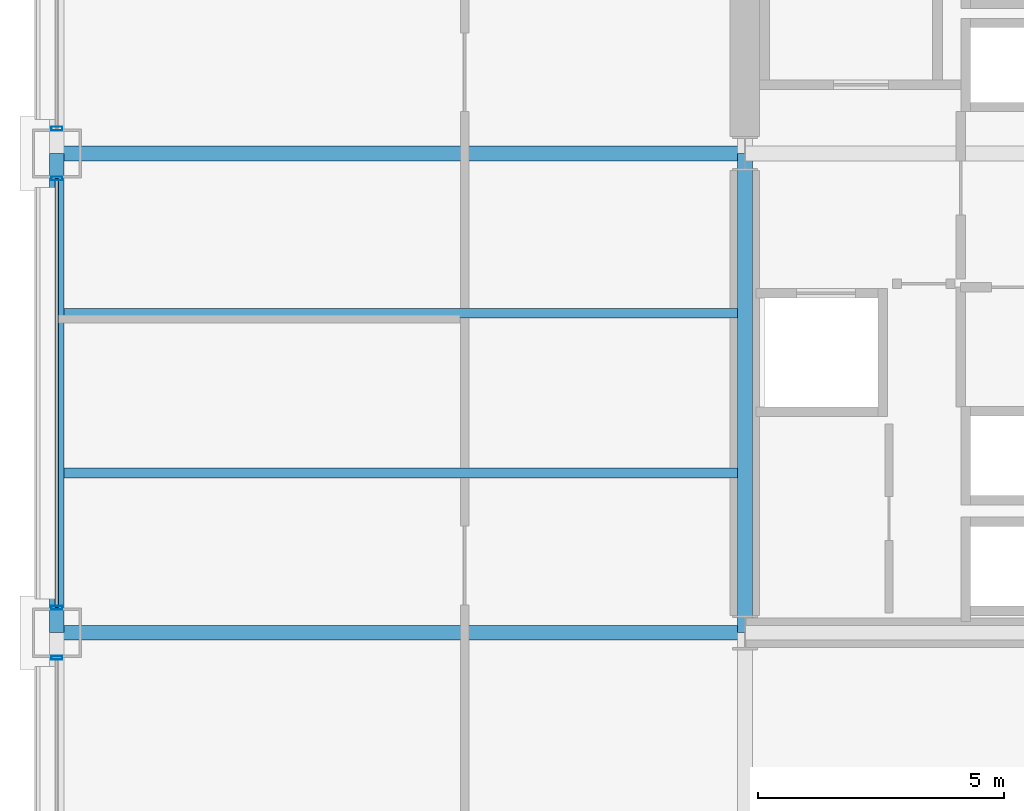
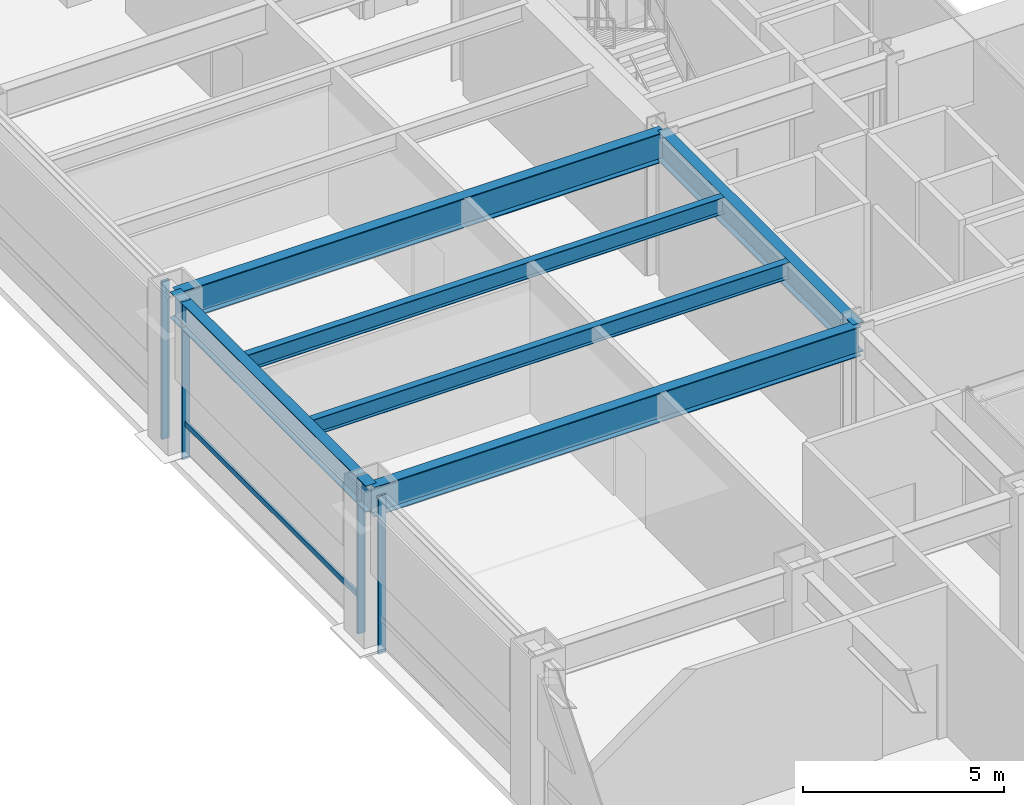
# One storey, part 6 of 42: 6 beams, 5 members, 3 elements without a shape of their own.
"""IFC4 building model written with IfcOpenShell, lengths in metres."""

from ifc_helpers import new_model, si_unit, direction, frame, origin, origin_2d, place, context, subcontext, project, spatial, hollow_rectangle, i_section, extrude, material, layer, layer_set, material_profile, profile_set, type_object, element, aggregate, save


model = new_model("IFC4")

# Units and contexts
model_context = context("Model", 3, precision=1e-05, world=origin(), true_north=direction((0.0, 1.0)))
body_context = subcontext(model_context, "Body", "Model", "MODEL_VIEW")
ifc_project = project(units=[si_unit("LENGTHUNIT", "METRE"), si_unit("AREAUNIT", "SQUARE_METRE"), si_unit("VOLUMEUNIT", "CUBIC_METRE"), si_unit("PLANEANGLEUNIT", "RADIAN"), si_unit("MASSUNIT", "GRAM", prefix="KILO")], contexts=[model_context])

# Site, building, storey
site_placement = place(None, origin())
site = spatial("IfcSite", under=ifc_project, at=site_placement, CompositionType="ELEMENT")
building_placement = place(site_placement, origin())
building = spatial("IfcBuilding", under=site, at=building_placement, Name="Brelmoor Portico Tower", CompositionType="ELEMENT")
storey_placement = place(building_placement, frame((0.0, 0.0, 9.60009765625)))
storey = spatial("IfcBuildingStorey", under=building, at=storey_placement, Name="L02", CompositionType="ELEMENT", Elevation=9.60009765625)

# Beams
ifc_material_1 = material(Name="Steel Q355B", Category="steel")
ifc_material_profile_1 = material_profile(ifc_material_1, i_section(OverallWidth=0.199951171875, OverallDepth=0.5, WebThickness=0.010009765625, FlangeThickness=0.01611328125, at=origin_2d()), Name="HN 500x200x10x16")
ifc_profile_set_1 = profile_set([ifc_material_profile_1], Name="Steel Q355B")
beam_type_1 = type_object("IfcBeamType", Name="BM-JS-500", PredefinedType="JOIST", material=ifc_profile_set_1)
for number, where, z_axis, x_axis, name in (
    (1, (-28.39990234375, -6.5, 4.329833984375), (1.0, 0.0, 0.0), (0.0, 1.0, 0.0), "L02 Secondary Wing Joist JS-W01"),
    (2, (-28.39990234375, -3.25, 4.329833984375), (1.0, 0.0, 0.0), (0.0, 1.0, 0.0), "L02 Secondary Wing Joist JS-W02"),
):
    element("IfcBeam", number, at=place(storey_placement, frame(where, z_axis=z_axis, x_axis=x_axis)), inside=storey, type_object=beam_type_1, Name=name, PredefinedType="JOIST", context=body_context, shape_type="SweptSolid", body=[
        extrude(i_section(OverallWidth=0.199951171875, OverallDepth=0.5, WebThickness=0.010009765625, FlangeThickness=0.01611328125, at=origin_2d()), origin(), (0.0, 0.0, 1.0), 13.699951171875),
    ])
ifc_material_profile_2 = material_profile(ifc_material_1, i_section(OverallWidth=0.300048828125, OverallDepth=0.89990234375, WebThickness=0.01611328125, FlangeThickness=0.028076171875, at=origin_2d()), Name="HN 900x300x16x28")
ifc_profile_set_2 = profile_set([ifc_material_profile_2], Name="Steel Q355B")
beam_type_2 = type_object("IfcBeamType", Name="BM-PG-900", PredefinedType="BEAM", material=ifc_profile_set_2)
beam_1_placement = place(storey_placement, frame((-14.550048828125, -9.75, 4.1298828125), z_axis=(0.0, 1.0, 0.0), x_axis=(-1.0, 0.0, 0.0)))
element("IfcBeam", 3, at=beam_1_placement, inside=storey, type_object=beam_type_2, Name="L02 Primary Floor Girder PG-06", PredefinedType="BEAM", context=body_context, shape_type="SweptSolid", body=[
    extrude(i_section(OverallWidth=0.300048828125, OverallDepth=0.89990234375, WebThickness=0.01611328125, FlangeThickness=0.028076171875, at=origin_2d()), origin(), (0.0, 0.0, 1.0), 9.75),
])
for number, where, z_axis, x_axis, name in (
    (4, (-28.550048828125, -9.75, 4.1298828125), (1.0, 0.0, 0.0), (0.0, 1.0, 0.0), "L02 Primary Floor Girder PG-25"),
    (5, (-28.550048828125, 0.0, 4.1298828125), (1.0, 0.0, 0.0), (0.0, 1.0, 0.0), "L02 Primary Floor Girder PG-30"),
):
    element("IfcBeam", number, at=place(storey_placement, frame(where, z_axis=z_axis, x_axis=x_axis)), inside=storey, type_object=beam_type_2, Name=name, PredefinedType="BEAM", context=body_context, shape_type="SweptSolid", body=[
        extrude(i_section(OverallWidth=0.300048828125, OverallDepth=0.89990234375, WebThickness=0.01611328125, FlangeThickness=0.028076171875, at=origin_2d()), origin(), (0.0, 0.0, 1.0), 14.0),
    ])
ifc_material_profile_3 = material_profile(ifc_material_1, i_section(OverallWidth=0.300048828125, OverallDepth=0.800048828125, WebThickness=0.013916015625, FlangeThickness=0.02587890625, at=origin_2d()), Name="HN 800x300x14x26")
ifc_profile_set_3 = profile_set([ifc_material_profile_3], Name="Steel Q355B")
beam_type_3 = type_object("IfcBeamType", Name="BM-SP-800", PredefinedType="SPANDREL", material=ifc_profile_set_3)
beam_2_placement = place(storey_placement, frame((-28.550048828125, -9.75, 4.179931640625), z_axis=(0.0, 1.0, 0.0), x_axis=(-1.0, 0.0, 0.0)))
element("IfcBeam", 6, at=beam_2_placement, inside=storey, type_object=beam_type_3, Name="L02 Perimeter Spandrel Beam SP-11", PredefinedType="SPANDREL", context=body_context, shape_type="SweptSolid", body=[
    extrude(i_section(OverallWidth=0.300048828125, OverallDepth=0.800048828125, WebThickness=0.013916015625, FlangeThickness=0.02587890625, at=origin_2d()), origin(), (0.0, 0.0, 1.0), 9.75),
])

# Curtain wall, member
ifc_material_2 = material(Name="Anodised Aluminium Alloy 6063-T6", Category="aluminium")
ifc_layer = layer(ifc_material_2, 0.179931640625)
ifc_layer_set = layer_set([ifc_layer], Name="Anodised Aluminium Alloy 6063-T6")
curtain_wall_type = type_object("IfcCurtainWallType", Name="CW-PODIUM-ARCH", PredefinedType="NOTDEFINED", material=ifc_layer_set)
curtain_wall_1_placement = place(storey_placement, origin())
curtain_wall_1 = element("IfcCurtainWall", 7, at=curtain_wall_1_placement, inside=storey, type_object=curtain_wall_type, Name="L02 Curtain Wall CW-L02-05-2", PredefinedType="NOTDEFINED")
ifc_material_profile_4 = material_profile(ifc_material_2, hollow_rectangle(XDim=0.074951171875, YDim=0.219970703125, WallThickness=0.0048828125, at=origin_2d()), Name="ALU MULLION 75x220")
ifc_profile_set_4 = profile_set([ifc_material_profile_4], Name="Anodised Aluminium Alloy 6063-T6")
member_type_1 = type_object("IfcMemberType", Name="MB-CW-MULL-220", PredefinedType="MULLION", material=ifc_profile_set_4)
member_1_placement = place(storey_placement, frame((-28.550048828125, -10.260009765625, -0.22021484375), z_axis=(0.0, 0.0, 1.0), x_axis=(0.0, 1.0, 0.0)))
member_1 = element("IfcMember", 8, at=member_1_placement, type_object=member_type_1, Name="CW-L02-05-2 Mullion 01", PredefinedType="MULLION", context=body_context, shape_type="SweptSolid", body=[
    extrude(hollow_rectangle(XDim=0.074951171875, YDim=0.219970703125, WallThickness=0.0048828125, at=origin_2d()), origin(), (0.0, 0.0, 1.0), 4.800048828125),
])
aggregate(curtain_wall_1, [member_1])

# Curtain wall, members
curtain_wall_2_placement = place(storey_placement, origin())
curtain_wall_2 = element("IfcCurtainWall", 9, at=curtain_wall_2_placement, inside=storey, type_object=curtain_wall_type, Name="L02 Curtain Wall CW-L02-05-3", PredefinedType="NOTDEFINED")
member_2_placement = place(storey_placement, frame((-28.550048828125, -9.239990234375, -0.22021484375), z_axis=(0.0, 0.0, 1.0), x_axis=(0.0, 1.0, 0.0)))
member_2 = element("IfcMember", 10, at=member_2_placement, type_object=member_type_1, Name="CW-L02-05-3 Mullion 00", PredefinedType="MULLION", context=body_context, shape_type="SweptSolid", body=[
    extrude(hollow_rectangle(XDim=0.074951171875, YDim=0.219970703125, WallThickness=0.0048828125, at=origin_2d()), origin(), (0.0, 0.0, 1.0), 4.800048828125),
])
member_3_placement = place(storey_placement, frame((-28.550048828125, -0.510009765625, -0.22021484375), z_axis=(0.0, 0.0, 1.0), x_axis=(0.0, 1.0, 0.0)))
member_3 = element("IfcMember", 11, at=member_3_placement, type_object=member_type_1, Name="CW-L02-05-3 Mullion 01", PredefinedType="MULLION", context=body_context, shape_type="SweptSolid", body=[
    extrude(hollow_rectangle(XDim=0.074951171875, YDim=0.219970703125, WallThickness=0.0048828125, at=origin_2d()), origin(), (0.0, 0.0, 1.0), 4.800048828125),
])

# Curtain wall, member
curtain_wall_3_placement = place(storey_placement, origin())
curtain_wall_3 = element("IfcCurtainWall", 12, at=curtain_wall_3_placement, inside=storey, type_object=curtain_wall_type, Name="L02 Curtain Wall CW-L02-05-4", PredefinedType="NOTDEFINED")
member_4_placement = place(storey_placement, frame((-28.550048828125, 0.510009765625, -0.22021484375), z_axis=(0.0, 0.0, 1.0), x_axis=(0.0, 1.0, 0.0)))
member_4 = element("IfcMember", 13, at=member_4_placement, type_object=member_type_1, Name="CW-L02-05-4 Mullion 00", PredefinedType="MULLION", context=body_context, shape_type="SweptSolid", body=[
    extrude(hollow_rectangle(XDim=0.074951171875, YDim=0.219970703125, WallThickness=0.0048828125, at=origin_2d()), origin(), (0.0, 0.0, 1.0), 4.800048828125),
])
aggregate(curtain_wall_3, [member_4])

# Member
ifc_material_profile_5 = material_profile(ifc_material_2, hollow_rectangle(XDim=0.070068359375, YDim=0.159912109375, WallThickness=0.00390625, at=origin_2d()), Name="ALU TRANSOM 70x160")
ifc_profile_set_5 = profile_set([ifc_material_profile_5], Name="Anodised Aluminium Alloy 6063-T6")
member_type_2 = type_object("IfcMemberType", Name="MB-CW-TRAN-160", PredefinedType="USERDEFINED", material=ifc_profile_set_5)
member_5_placement = place(storey_placement, frame((-28.550048828125, -9.239990234375, 0.849853515625), z_axis=(0.0, 1.0, 0.0), x_axis=(-1.0, 0.0, 0.0)))
member_5 = element("IfcMember", 14, at=member_5_placement, type_object=member_type_2, Name="CW-L02-05-3 Transom 1-00", ObjectType="TRANSOM", PredefinedType="USERDEFINED", context=body_context, shape_type="SweptSolid", body=[
    extrude(hollow_rectangle(XDim=0.070068359375, YDim=0.159912109375, WallThickness=0.00390625, at=origin_2d()), origin(), (0.0, 0.0, 1.0), 8.72998046875),
])

aggregate(curtain_wall_2, [member_2, member_3, member_5])

save(model, "model.ifc")
